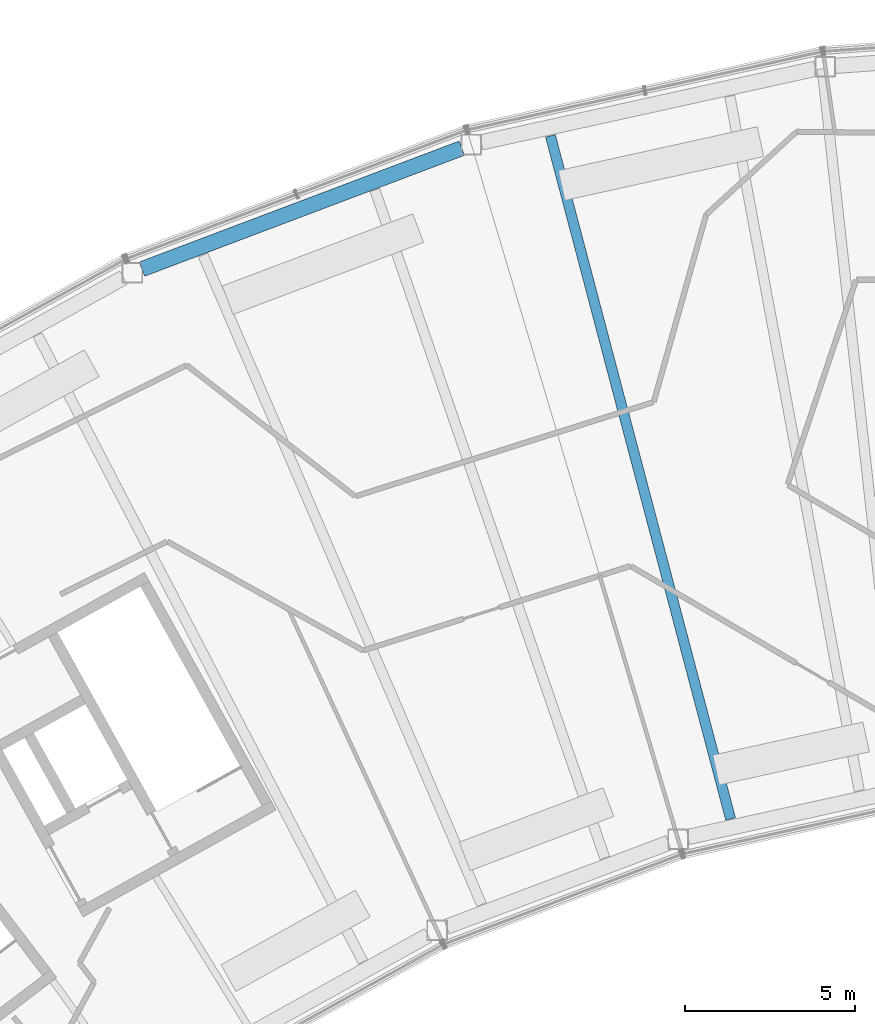
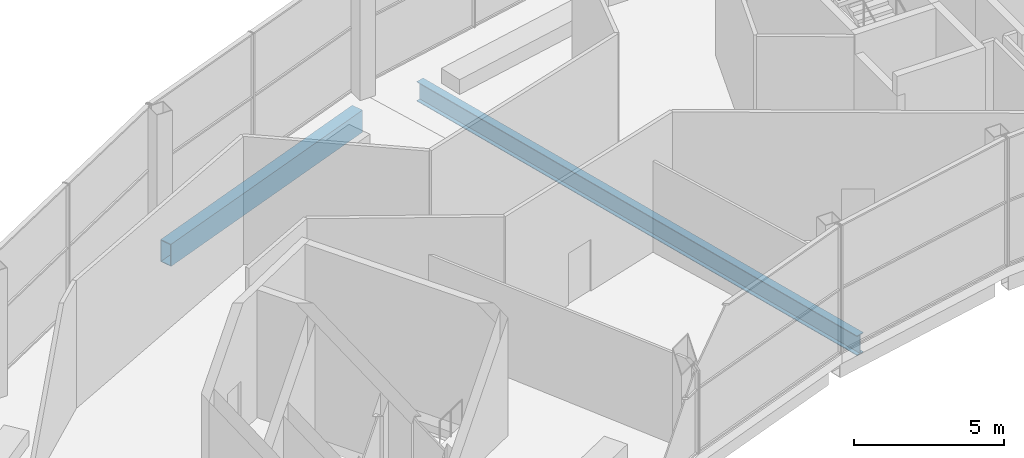
# One storey, part 15 of 44: 2 beams.
"""IFC4 building model written with IfcOpenShell, lengths in metres."""

import ifcopenshell
import ifcopenshell.guid

model = None  # the IFC model being written
_history = None  # IfcOwnerHistory: only IFC2X3 demands one
_inside = {}  # id of a spatial element -> (the spatial element, [elements in it])
_under = {}  # id of a project, library or spatial element -> (it, [spatial elements below it])
_declared = {}  # id of a project -> (the project, [libraries it declares])
_typed = {}  # id of a type object -> (the type object, [elements of that type])
_made_of = {}  # id of a material, layer set ... -> (it, [elements and type objects made of it])


def new_model(schema):
    """Start an empty IFC model of exactly this schema.

    Asked for "IFC4X3", IfcOpenShell would pick the latest addendum, in which some entities
    have other attributes; the version numbers below select the first issue.
    IFC2X3 requires an IfcOwnerHistory on every rooted entity: one is made here for all.
    """
    global model, _history
    if schema == "IFC4X3":
        model = ifcopenshell.file(schema_version=(4, 3, 0, 0))
    else:
        model = ifcopenshell.file(schema=schema)
    _inside.clear()
    _under.clear()
    _declared.clear()
    _typed.clear()
    _made_of.clear()
    _history = None
    if model.schema == "IFC2X3":
        org = make("IfcOrganization", Name="unknown")
        user = make(
            "IfcPersonAndOrganization",
            ThePerson=make("IfcPerson", FamilyName="unknown"),
            TheOrganization=org,
        )
        app = make(
            "IfcApplication",
            ApplicationDeveloper=org,
            Version="unknown",
            ApplicationFullName="unknown",
            ApplicationIdentifier="unknown",
        )
        _history = make(
            "IfcOwnerHistory",
            OwningUser=user,
            OwningApplication=app,
            ChangeAction="ADDED",
            CreationDate=0,
        )
    return model


def make(cls, **values):
    """One entity of the class cls with the attributes given. An attribute that is None is left unset."""
    return model.create_entity(
        cls, **{name: value for name, value in values.items() if value is not None}
    )


def rooted(cls, **values):
    """An entity with a GlobalId (a new one), such as an element, a storey or a relation."""
    return make(cls, GlobalId=ifcopenshell.guid.new(), OwnerHistory=_history, **values)


def si_unit(unit_type, name, prefix=None):
    """IfcSIUnit, for example si_unit("LENGTHUNIT", "METRE", prefix="MILLI")."""
    return make("IfcSIUnit", UnitType=unit_type, Prefix=prefix, Name=name)


def assignment(units):
    """IfcUnitAssignment: the units of a project."""
    return None if units is None else make("IfcUnitAssignment", Units=units)


def point(xyz):
    """IfcCartesianPoint."""
    return None if xyz is None else make("IfcCartesianPoint", Coordinates=xyz)


def direction(xyz):
    """IfcDirection."""
    return None if xyz is None else make("IfcDirection", DirectionRatios=xyz)


def frame(location, z_axis=None, x_axis=None):
    """IfcAxis2Placement3D, a coordinate frame: its origin and axes. An axis left out is left unset."""
    return make(
        "IfcAxis2Placement3D",
        Location=point(location),
        Axis=direction(z_axis),
        RefDirection=direction(x_axis),
    )


def frame_2d(location, x_axis=None):
    """IfcAxis2Placement2D, a coordinate frame in the plane: its origin and x axis."""
    return make(
        "IfcAxis2Placement2D", Location=point(location), RefDirection=direction(x_axis)
    )


def origin():
    """The frame at (0, 0, 0) with its axes left unset."""
    return frame((0.0, 0.0, 0.0))


def origin_2d():
    """The frame at (0, 0) in the plane with its x axis left unset."""
    return frame_2d((0.0, 0.0))


def place(relative_to, where):
    """IfcLocalPlacement: puts the frame where relative to a parent placement (None: the world)."""
    return make(
        "IfcLocalPlacement", PlacementRelTo=relative_to, RelativePlacement=where
    )


def context(
    kind, dimensions, precision=None, world=None, true_north=None, identifier=None
):
    """IfcGeometricRepresentationContext, for example the 3D "Model" context."""
    return make(
        "IfcGeometricRepresentationContext",
        ContextIdentifier=identifier,
        ContextType=kind,
        CoordinateSpaceDimension=dimensions,
        Precision=precision,
        WorldCoordinateSystem=world,
        TrueNorth=true_north,
    )


def subcontext(parent, identifier, kind, view, scale=None):
    """IfcGeometricRepresentationSubContext, for example "Body" below "Model"."""
    return make(
        "IfcGeometricRepresentationSubContext",
        ContextIdentifier=identifier,
        ContextType=kind,
        ParentContext=parent,
        TargetScale=scale,
        TargetView=view,
    )


def project(units=None, contexts=None):
    """IfcProject with its units and contexts."""
    return rooted(
        "IfcProject",
        Name="project",
        RepresentationContexts=contexts,
        UnitsInContext=assignment(units),
    )


def spatial(cls, under=None, at=None, **own):
    """A site, building, storey or space (cls), placed at a placement, below another one or the project."""
    s = rooted(cls, ObjectPlacement=at, **own)
    if under is not None:
        _under.setdefault(under.id(), (under, []))[1].append(s)
    return s


def profile(cls, at=None, kind="AREA", **sizes):
    """A parametric profile (cls). Its sizes go by their IFC names, for example OverallWidth=200.0."""
    return make(cls, ProfileType=kind, Position=at, **sizes)


def hollow_rectangle(**sizes):
    """IfcRectangleHollowProfileDef."""
    return profile("IfcRectangleHollowProfileDef", **sizes)


def i_section(**sizes):
    """IfcIShapeProfileDef."""
    return profile("IfcIShapeProfileDef", **sizes)


def extrude(swept, where, along, depth):
    """IfcExtrudedAreaSolid: the profile swept, set in the frame where, extruded along a direction by depth."""
    return make(
        "IfcExtrudedAreaSolid",
        SweptArea=swept,
        Position=where,
        ExtrudedDirection=direction(along),
        Depth=depth,
    )


def shape(context_of_items, identifier, shape_type, items):
    """IfcShapeRepresentation: the items that make up one representation, for example the "Body"."""
    return make(
        "IfcShapeRepresentation",
        ContextOfItems=context_of_items,
        RepresentationIdentifier=identifier,
        RepresentationType=shape_type,
        Items=items,
    )


def material(Name=None, Category=None):
    """IfcMaterial."""
    return make("IfcMaterial", Name=Name, Category=Category)


def material_profile(
    of_material, cross_section, Name=None, Category=None, Priority=None
):
    """IfcMaterialProfile: a cross section and its material."""
    return make(
        "IfcMaterialProfile",
        Name=Name,
        Material=of_material,
        Profile=cross_section,
        Priority=Priority,
        Category=Category,
    )


def profile_set(profiles, Name=None, composite=None):
    """IfcMaterialProfileSet."""
    return make(
        "IfcMaterialProfileSet",
        Name=Name,
        MaterialProfiles=profiles,
        CompositeProfile=composite,
    )


def made_of(thing, what):
    """Note that an element or type object is made of a material, layer set ...; save() writes the relation."""
    if what is not None:
        _made_of.setdefault(what.id(), (what, []))[1].append(thing)
    return thing


def type_object(cls, material=None, **own):
    """A type object (cls), such as IfcWallType, which elements share."""
    return made_of(rooted(cls, **own), material)


def element(
    cls,
    number,
    at=None,
    inside=None,
    cuts=None,
    type_object=None,
    material=None,
    context=None,
    identifier="Body",
    shape_type=None,
    held_by="IfcProductDefinitionShape",
    body=None,
    shapes=None,
    **own,
):
    """One element of the class cls, such as IfcWall. Its Tag is "e" and its number.

    at: its placement. inside: the storey or other place that contains it. cuts: it is an
    opening in that element (IfcRelVoidsElement). A single representation is given by context,
    identifier, shape_type and body (its items); several are given by shapes. held_by: the class
    of the entity that holds the representations. save() writes the other relations.
    """
    e = rooted(cls, Tag="e%d" % number, ObjectPlacement=at, **own)
    if body is not None:
        shapes = [shape(context, identifier, shape_type, body)]
    if shapes is not None:
        e.Representation = make(held_by, Representations=shapes)
    if inside is not None:
        _inside.setdefault(inside.id(), (inside, []))[1].append(e)
    if cuts is not None:
        rooted(
            "IfcRelVoidsElement", RelatingBuildingElement=cuts, RelatedOpeningElement=e
        )
    if type_object is not None:
        _typed.setdefault(type_object.id(), (type_object, []))[1].append(e)
    return made_of(e, material)


def aggregate(whole, parts):
    """IfcRelAggregates: a whole, such as a stair, and the parts it consists of."""
    return rooted("IfcRelAggregates", RelatingObject=whole, RelatedObjects=parts)


def save(model, path):
    """Write the relations noted so far, then the file.

    IfcRelAggregates (storeys below a building ...), IfcRelContainedInSpatialStructure (elements
    in a storey), IfcRelDefinesByType, IfcRelAssociatesMaterial and IfcRelDeclares: one each for
    every whole, place, type object, material and project.
    """
    for whole, parts in _under.values():
        aggregate(whole, parts)
    for where, things in _inside.values():
        rooted(
            "IfcRelContainedInSpatialStructure",
            RelatedElements=things,
            RelatingStructure=where,
        )
    for kind, things in _typed.values():
        rooted("IfcRelDefinesByType", RelatedObjects=things, RelatingType=kind)
    for what, things in _made_of.values():
        rooted("IfcRelAssociatesMaterial", RelatedObjects=things, RelatingMaterial=what)
    for by, libraries in _declared.values():
        rooted("IfcRelDeclares", RelatingContext=by, RelatedDefinitions=libraries)
    model.write(path)


model = new_model("IFC4")

# Units and contexts
model_context = context("Model", 3, precision=1e-05, world=origin(), true_north=direction((0.0, 1.0)))
body_context = subcontext(model_context, "Body", "Model", "MODEL_VIEW")
ifc_project = project(units=[si_unit("LENGTHUNIT", "METRE"), si_unit("AREAUNIT", "SQUARE_METRE"), si_unit("VOLUMEUNIT", "CUBIC_METRE"), si_unit("PLANEANGLEUNIT", "RADIAN"), si_unit("MASSUNIT", "GRAM", prefix="KILO")], contexts=[model_context])

# Site, building, storey
site_placement = place(None, origin())
site = spatial("IfcSite", under=ifc_project, at=site_placement, CompositionType="ELEMENT")
building_placement = place(site_placement, origin())
building = spatial("IfcBuilding", under=site, at=building_placement, Name="Tuul Gate Civic Tower", CompositionType="ELEMENT")
storey_placement = place(building_placement, frame((0.0, 0.0, 354.60009765625)))
storey = spatial("IfcBuildingStorey", under=building, at=storey_placement, Name="Observation level 2", CompositionType="ELEMENT", Elevation=354.60009765625)

# Beams
ifc_material_1 = material(Name="Steel S355", Category="steel")
ifc_material_profile_1 = material_profile(ifc_material_1, i_section(OverallWidth=0.300048828125, OverallDepth=0.800048828125, WebThickness=0.013916015625, FlangeThickness=0.02490234375, at=origin_2d()), Name="PG800x300x14x25")
ifc_profile_set_1 = profile_set([ifc_material_profile_1], Name="Steel S355")
beam_type_1 = type_object("IfcBeamType", Name="STR-FLOOR BEAM-PG800x300x14x25", PredefinedType="BEAM", material=ifc_profile_set_1)
beam_1_placement = place(storey_placement, frame((-11.24658203125, -9.11328125, -0.800048828125), z_axis=(-0.255002430405, 0.966940412067, 0.0), x_axis=(-0.966940412067, -0.255002430405, 0.0)))
element("IfcBeam", 1, at=beam_1_placement, inside=storey, type_object=beam_type_1, Name="Floor beam", PredefinedType="BEAM", context=body_context, shape_type="SweptSolid", body=[
    extrude(i_section(OverallWidth=0.300048828125, OverallDepth=0.800048828125, WebThickness=0.013916015625, FlangeThickness=0.02490234375, at=origin_2d()), origin(), (0.0, 0.0, 1.0), 20.81689453125),
])
ifc_material_2 = material(Name="Steel S355", Category="steel")
ifc_material_profile_2 = material_profile(ifc_material_2, hollow_rectangle(XDim=0.449951171875, YDim=0.89990234375, WallThickness=0.02490234375, at=origin_2d()), Name="BOX900x450x25")
ifc_profile_set_2 = profile_set([ifc_material_profile_2], Name="Steel S355")
beam_type_2 = type_object("IfcBeamType", Name="STR-SPANDREL BEAM-BOX900x450x25", PredefinedType="BEAM", material=ifc_profile_set_2)
beam_2_placement = place(storey_placement, frame((-19.16552734375, 10.65185546875, -0.85009765625), z_axis=(-0.935377903805, -0.353649794391, 0.0), x_axis=(0.353649794391, -0.935377903805, 0.0)))
element("IfcBeam", 2, at=beam_2_placement, inside=storey, type_object=beam_type_2, Name="Spandrel beam", PredefinedType="BEAM", context=body_context, shape_type="SweptSolid", body=[
    extrude(hollow_rectangle(XDim=0.449951171875, YDim=0.89990234375, WallThickness=0.02490234375, at=origin_2d()), origin(), (0.0, 0.0, 1.0), 10.076904296875),
])

save(model, "model.ifc")
